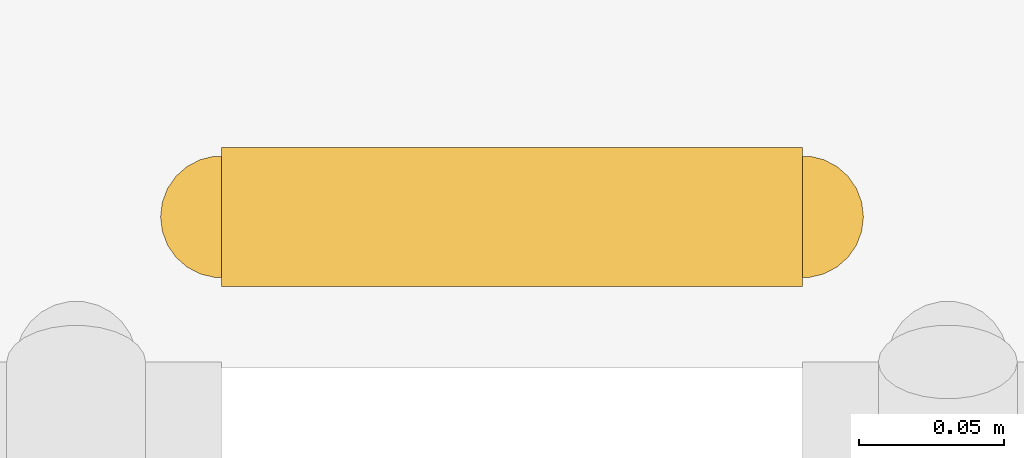
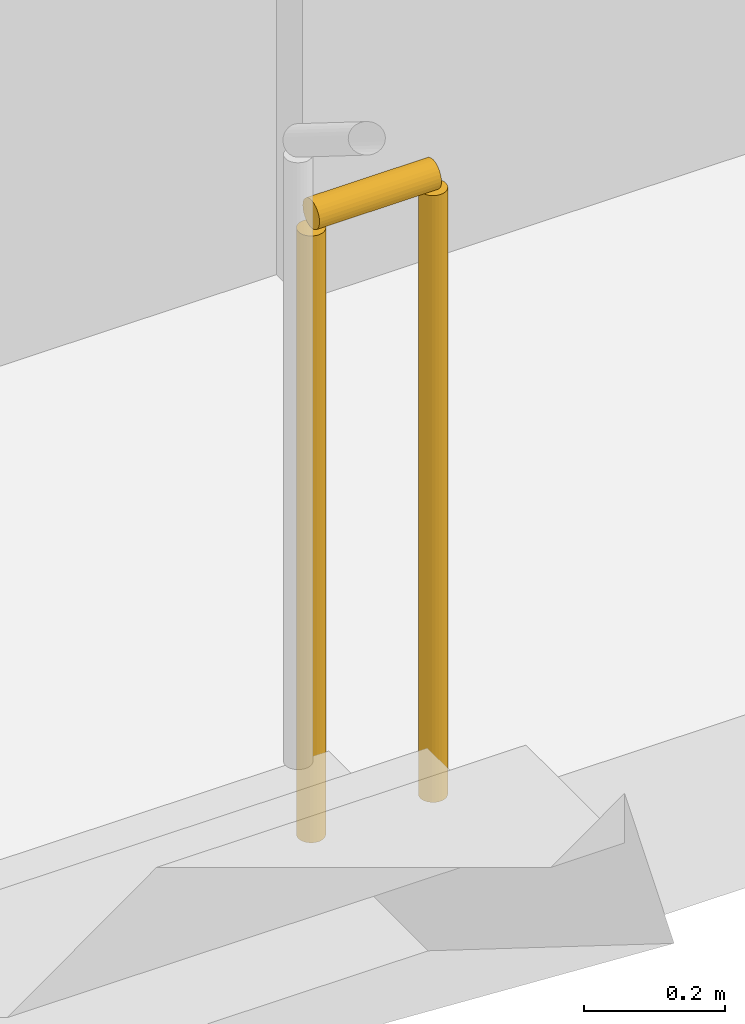
# One storey, part 22 of 22: 1 railing.
"""IFC4 building model written with IfcOpenShell, lengths in metres."""

from ifc_helpers import new_model, si_unit, direction, frame, origin, origin_2d, place, context, subcontext, project, spatial, circle, extrude, material, type_object, element, save


model = new_model("IFC4")

# Units and contexts
model_context = context("Model", 3, precision=1e-05, world=origin(), true_north=direction((0.0, 1.0)))
body_context = subcontext(model_context, "Body", "Model", "MODEL_VIEW")
ifc_project = project(units=[si_unit("LENGTHUNIT", "METRE"), si_unit("AREAUNIT", "SQUARE_METRE"), si_unit("VOLUMEUNIT", "CUBIC_METRE"), si_unit("PLANEANGLEUNIT", "RADIAN"), si_unit("MASSUNIT", "GRAM", prefix="KILO")], contexts=[model_context])

# Site, building, storey
site_placement = place(None, origin())
site = spatial("IfcSite", under=ifc_project, at=site_placement, CompositionType="ELEMENT")
building_placement = place(site_placement, origin())
building = spatial("IfcBuilding", under=site, at=building_placement, Name="Kiln Ring Residences", CompositionType="ELEMENT")
storey_placement = place(building_placement, frame((0.0, 0.0, 171.10009765625)))
storey = spatial("IfcBuildingStorey", under=building, at=storey_placement, Name="L44", CompositionType="ELEMENT", Elevation=171.10009765625)

# Railing
ifc_material = material(Name="Stainless steel", Category="steel")
railing_type = type_object("IfcRailingType", Name="CORE-STAIR-GUARD", PredefinedType="GUARDRAIL", material=ifc_material)
railing_placement = place(storey_placement, frame((22.0, 8.449951171875, 0.0)))
element("IfcRailing", 1, at=railing_placement, inside=storey, type_object=railing_type, Name="L44 E-STN stair guard 4", PredefinedType="GUARDRAIL", context=body_context, shape_type="SweptSolid", body=[
    extrude(circle(Radius=0.02392578125, at=origin_2d()), frame((0.0, 0.0, 1.076171875), z_axis=(1.0, 0.0, 0.0), x_axis=(0.0, 1.0, 0.0)), (0.0, 0.0, 1.0), 0.199951171875),
    extrude(circle(Radius=0.02099609375, at=origin_2d()), origin(), (0.0, 0.0, 1.0), 1.052001953125),
    extrude(circle(Radius=0.02099609375, at=origin_2d()), frame((0.199951171875, 0.0, 0.0)), (0.0, 0.0, 1.0), 1.052001953125),
])

save(model, "model.ifc")
